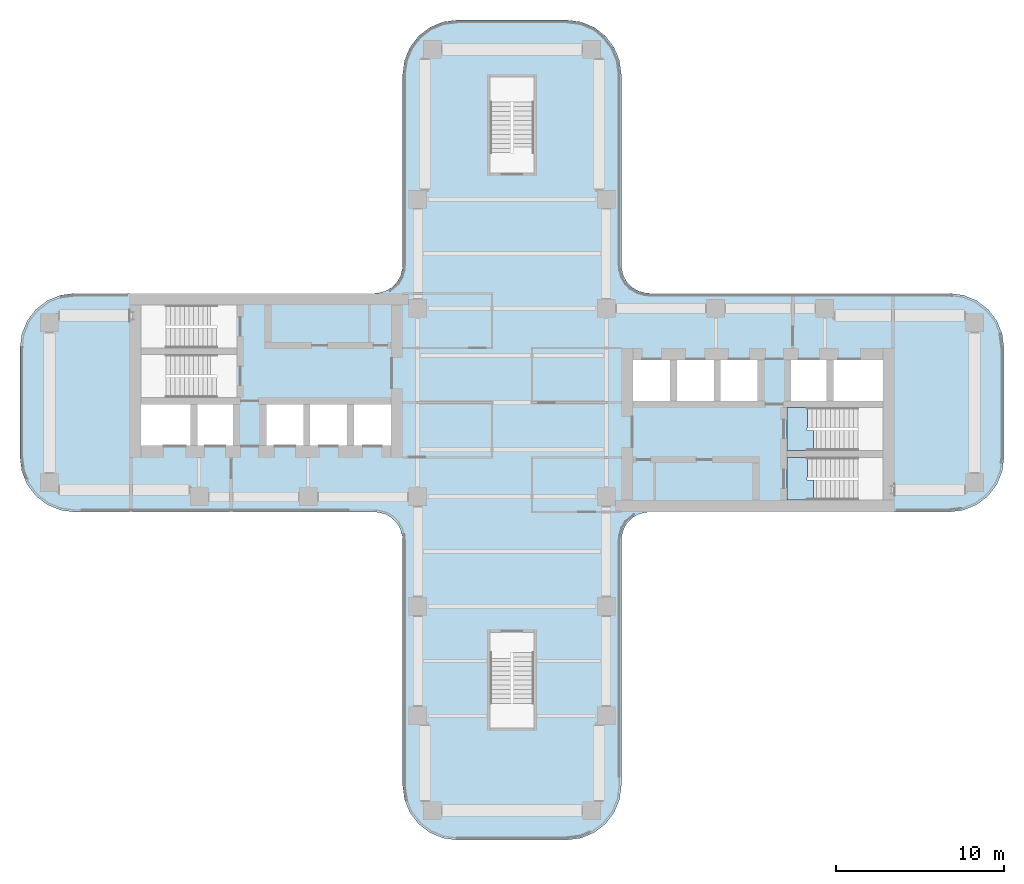
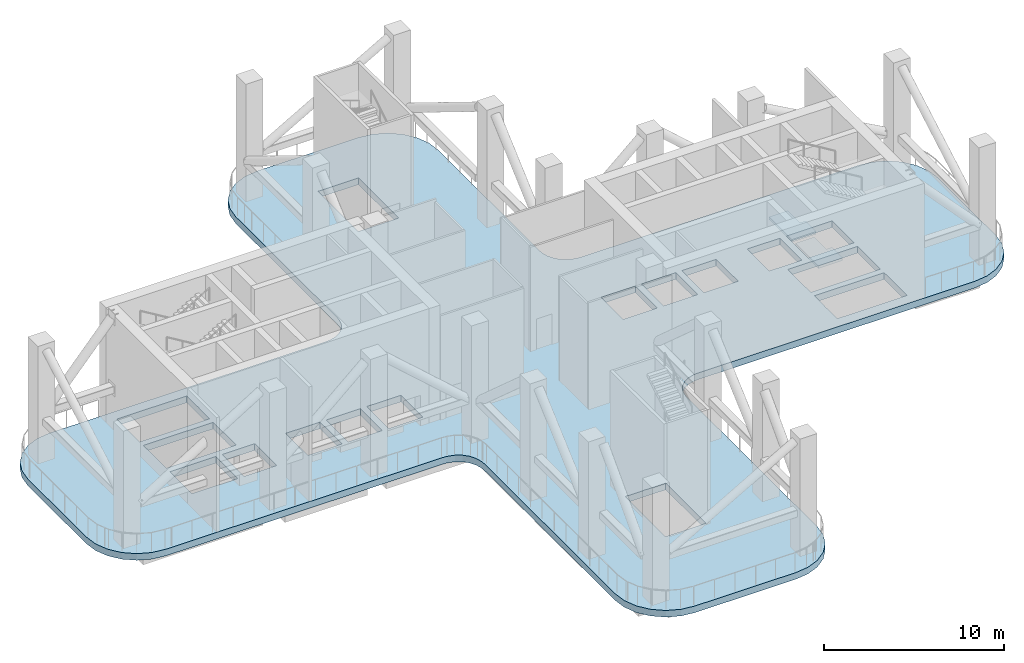
# One storey, part 3 of 11: 3 slabs, 2 elements without a shape of their own.
"""IFC4 building model written with IfcOpenShell, lengths in metres."""

from ifc_helpers import new_model, si_unit, direction, frame, origin, place, context, subcontext, project, spatial, polyline, outline, extrude, source, transform, mapped, material, layer, layer_set, type_object, element, aggregate, save


model = new_model("IFC4")

# Units and contexts
model_context = context("Model", 3, precision=1e-05, world=origin(), true_north=direction((0.0, 1.0)))
body_context = subcontext(model_context, "Body", "Model", "MODEL_VIEW")
ifc_project = project(units=[si_unit("LENGTHUNIT", "METRE"), si_unit("AREAUNIT", "SQUARE_METRE"), si_unit("VOLUMEUNIT", "CUBIC_METRE"), si_unit("PLANEANGLEUNIT", "RADIAN"), si_unit("MASSUNIT", "GRAM", prefix="KILO")], contexts=[model_context])

# Site, building, storey
site_placement = place(None, origin())
site = spatial("IfcSite", under=ifc_project, at=site_placement, CompositionType="ELEMENT")
building_placement = place(site_placement, origin())
building = spatial("IfcBuilding", under=site, at=building_placement, Name="Trellis Farm Tower", CompositionType="ELEMENT")
storey_placement = place(building_placement, frame((0.0, 0.0, 212.699951171875)))
storey = spatial("IfcBuildingStorey", under=building, at=storey_placement, Name="L47", CompositionType="ELEMENT", Elevation=212.699951171875)

# Slab
ifc_material_1 = material(Name="Concrete C40/50", Category="concrete")
ifc_layer_1 = layer(ifc_material_1, 0.449951171875)
ifc_layer_set_1 = layer_set([ifc_layer_1], Name="Composite deck floor slab 450")
slab_type_1 = type_object("IfcSlabType", Name="Composite deck floor slab 450", PredefinedType="FLOOR", material=ifc_layer_set_1)
slab_1_placement = place(storey_placement, frame((0.0, 0.0, -0.449951171875)))
element("IfcSlab", 1, at=slab_1_placement, inside=storey, type_object=slab_type_1, Name="Floor slab", PredefinedType="FLOOR", context=body_context, shape_type="SweptSolid", body=[
    extrude(outline(polyline([(-26.84130859375, -6.389404296875), (-27.625, -6.064697265625), (-28.298095703125, -5.548095703125), (-28.814697265625, -4.875), (-29.139404296875, -4.09130859375), (-29.25, -3.25), (-29.25, 3.25), (-29.139404296875, 4.09130859375), (-28.814697265625, 4.875), (-28.298095703125, 5.548095703125), (-27.625, 6.064697265625), (-26.84130859375, 6.389404296875), (-26.0, 6.5), (-8.2314453125, 6.5), (-8.01953125, 6.513916015625), (-7.91552734375, 6.527587890625), (-7.508544921875, 6.63671875), (-7.144287109375, 6.846923828125), (-6.846923828125, 7.144287109375), (-6.63671875, 7.508544921875), (-6.527587890625, 7.91552734375), (-6.513916015625, 8.01953125), (-6.5, 8.2314453125), (-6.5, 19.5), (-6.389404296875, 20.34130859375), (-6.064697265625, 21.125), (-5.548095703125, 21.798095703125), (-4.875, 22.314697265625), (-4.09130859375, 22.639404296875), (-3.25, 22.75), (3.25, 22.75), (4.09130859375, 22.639404296875), (4.875, 22.314697265625), (5.548095703125, 21.798095703125), (6.064697265625, 21.125), (6.389404296875, 20.34130859375), (6.5, 19.5), (6.5, 8.2314453125), (6.513916015625, 8.01953125), (6.527587890625, 7.91552734375), (6.63671875, 7.508544921875), (6.846923828125, 7.144287109375), (7.144287109375, 6.846923828125), (7.508544921875, 6.63671875), (7.91552734375, 6.527587890625), (8.01953125, 6.513916015625), (8.2314453125, 6.5), (26.0, 6.5), (26.84130859375, 6.389404296875), (27.625, 6.064697265625), (28.298095703125, 5.548095703125), (28.814697265625, 4.875), (29.139404296875, 4.09130859375), (29.25, 3.25), (29.25, -3.25), (29.139404296875, -4.09130859375), (28.814697265625, -4.875), (28.298095703125, -5.548095703125), (27.625, -6.064697265625), (26.84130859375, -6.389404296875), (26.0, -6.5), (8.2314453125, -6.5), (8.01953125, -6.513916015625), (7.91552734375, -6.527587890625), (7.508544921875, -6.63671875), (7.144287109375, -6.846923828125), (6.846923828125, -7.144287109375), (6.63671875, -7.508544921875), (6.527587890625, -7.91552734375), (6.513916015625, -8.01953125), (6.5, -8.2314453125), (6.5, -22.75), (6.389404296875, -23.59130859375), (6.064697265625, -24.375), (5.548095703125, -25.048095703125), (4.875, -25.564697265625), (4.09130859375, -25.889404296875), (3.25, -26.0), (-3.25, -26.0), (-4.09130859375, -25.889404296875), (-4.875, -25.564697265625), (-5.548095703125, -25.048095703125), (-6.064697265625, -24.375), (-6.389404296875, -23.59130859375), (-6.5, -22.75), (-6.5, -8.2314453125), (-6.513916015625, -8.01953125), (-6.527587890625, -7.91552734375), (-6.63671875, -7.508544921875), (-6.846923828125, -7.144287109375), (-7.144287109375, -6.846923828125), (-7.508544921875, -6.63671875), (-7.91552734375, -6.527587890625), (-8.01953125, -6.513916015625), (-8.2314453125, -6.5), (-26.0, -6.5), (-26.84130859375, -6.389404296875)]), holes=[polyline([(-22.050048828125, -0.10009765625), (-22.050048828125, -2.550048828125), (-19.10009765625, -2.550048828125), (-19.10009765625, -0.10009765625), (-22.050048828125, -0.10009765625)]), polyline([(-18.699951171875, -0.10009765625), (-18.699951171875, -2.550048828125), (-16.60009765625, -2.550048828125), (-16.60009765625, -0.10009765625), (-18.699951171875, -0.10009765625)]), polyline([(-14.60009765625, -0.10009765625), (-14.60009765625, -2.550048828125), (-12.39990234375, -2.550048828125), (-12.39990234375, -0.10009765625), (-14.60009765625, -0.10009765625)]), polyline([(-12.0, -0.10009765625), (-12.0, -2.550048828125), (-9.800048828125, -2.550048828125), (-9.800048828125, -0.10009765625), (-12.0, -0.10009765625)]), polyline([(-9.39990234375, -0.10009765625), (-9.39990234375, -2.550048828125), (-7.199951171875, -2.550048828125), (-7.199951171875, -0.10009765625), (-9.39990234375, -0.10009765625)]), polyline([(-17.56201171875, 1.64990234375), (-17.56201171875, 2.85009765625), (-22.050048828125, 2.85009765625), (-22.050048828125, 0.300048828125), (-17.56005859375, 0.300048828125), (-17.56005859375, 1.5), (-17.550048828125, 1.5), (-17.550048828125, 1.64990234375), (-17.56201171875, 1.64990234375)]), polyline([(-17.56201171875, 4.60009765625), (-17.56201171875, 5.800048828125), (-22.050048828125, 5.800048828125), (-22.050048828125, 3.25), (-17.56005859375, 3.25), (-17.56005859375, 4.449951171875), (-17.550048828125, 4.449951171875), (-17.550048828125, 4.60009765625), (-17.56201171875, 4.60009765625)]), polyline([(0.10009765625, 14.862060546875), (1.300048828125, 14.862060546875), (1.300048828125, 19.35009765625), (-1.300048828125, 19.35009765625), (-1.300048828125, 14.860107421875), (-0.10009765625, 14.860107421875), (-0.10009765625, 14.85009765625), (0.10009765625, 14.85009765625), (0.10009765625, 14.862060546875)]), polyline([(-0.10009765625, -14.862060546875), (-1.300048828125, -14.862060546875), (-1.300048828125, -19.35009765625), (1.300048828125, -19.35009765625), (1.300048828125, -14.860107421875), (0.10009765625, -14.860107421875), (0.10009765625, -14.85009765625), (-0.10009765625, -14.85009765625), (-0.10009765625, -14.862060546875)]), polyline([(17.56201171875, -4.60009765625), (17.56201171875, -5.800048828125), (22.050048828125, -5.800048828125), (22.050048828125, -3.25), (17.56005859375, -3.25), (17.56005859375, -4.449951171875), (17.550048828125, -4.449951171875), (17.550048828125, -4.60009765625), (17.56201171875, -4.60009765625)]), polyline([(17.56201171875, -1.64990234375), (17.56201171875, -2.85009765625), (22.050048828125, -2.85009765625), (22.050048828125, -0.300048828125), (17.56005859375, -0.300048828125), (17.56005859375, -1.5), (17.550048828125, -1.5), (17.550048828125, -1.64990234375), (17.56201171875, -1.64990234375)]), polyline([(9.39990234375, 0.10009765625), (9.39990234375, 2.550048828125), (7.199951171875, 2.550048828125), (7.199951171875, 0.10009765625), (9.39990234375, 0.10009765625)]), polyline([(12.0, 0.10009765625), (12.0, 2.550048828125), (9.800048828125, 2.550048828125), (9.800048828125, 0.10009765625), (12.0, 0.10009765625)]), polyline([(14.60009765625, 0.10009765625), (14.60009765625, 2.550048828125), (12.39990234375, 2.550048828125), (12.39990234375, 0.10009765625), (14.60009765625, 0.10009765625)]), polyline([(18.699951171875, 0.10009765625), (18.699951171875, 2.550048828125), (16.60009765625, 2.550048828125), (16.60009765625, 0.10009765625), (18.699951171875, 0.10009765625)]), polyline([(22.050048828125, 0.10009765625), (22.050048828125, 2.550048828125), (19.10009765625, 2.550048828125), (19.10009765625, 0.10009765625), (22.050048828125, 0.10009765625)])]), origin(), (0.0, 0.0, 1.0), 0.449951171875),
])

# Stair, slab
ifc_material_2 = material(Name="Concrete C50/60", Category="concrete")
stair_type = type_object("IfcStairType", Name="CORE EXIT STAIR 48 RISERS 167 MM", PredefinedType="HALF_TURN_STAIR", material=ifc_material_2)
placement_1 = place(storey_placement, origin())
stair_1 = element("IfcStair", 2, at=placement_1, inside=storey, type_object=stair_type, Name="Exit stair E1", PredefinedType="HALF_TURN_STAIR")
ifc_layer_2 = layer(ifc_material_2, 0.179931640625)
ifc_layer_set_2 = layer_set([ifc_layer_2], Name="CORE STAIR LANDING 180 CONCRETE C50/60")
slab_type_2 = type_object("IfcSlabType", Name="CORE STAIR LANDING 180 CONCRETE C50/60", PredefinedType="LANDING", material=ifc_layer_set_2)
shared_shape_1 = source(origin(), body_context, "Body", "SweptSolid", [
    extrude(outline(polyline([(17.91259765625, -4.60009765625), (17.91259765625, -5.800048828125), (17.550048828125, -5.800048828125), (16.35009765625, -5.800048828125), (16.35009765625, -3.25), (17.550048828125, -3.25), (17.56005859375, -3.25), (17.56005859375, -4.449951171875), (17.550048828125, -4.449951171875), (17.550048828125, -4.60009765625), (17.91259765625, -4.60009765625)])), origin(), (0.0, 0.0, 1.0), 0.179931640625),
])
placement_2 = place(storey_placement, frame((0.0, 0.0, 3.820068359375)))
slab_2 = element("IfcSlab", 3, at=placement_2, type_object=slab_type_2, Name="STE1 landing 2", PredefinedType="LANDING", context=body_context, shape_type="MappedRepresentation", body=[
    mapped(shared_shape_1, transform((0.0, 0.0, 0.0))),
])
aggregate(stair_1, [slab_2])

stair_2 = element("IfcStair", 4, at=placement_1, inside=storey, type_object=stair_type, Name="Exit stair E2", PredefinedType="HALF_TURN_STAIR")
shared_shape_2 = source(origin(), body_context, "Body", "SweptSolid", [
    extrude(outline(polyline([(17.91259765625, -1.64990234375), (17.91259765625, -2.85009765625), (17.550048828125, -2.85009765625), (16.35009765625, -2.85009765625), (16.35009765625, -0.300048828125), (17.550048828125, -0.300048828125), (17.56005859375, -0.300048828125), (17.56005859375, -1.5), (17.550048828125, -1.5), (17.550048828125, -1.64990234375), (17.91259765625, -1.64990234375)])), origin(), (0.0, 0.0, 1.0), 0.179931640625),
])
slab_3 = element("IfcSlab", 5, at=placement_2, type_object=slab_type_2, Name="STE2 landing 2", PredefinedType="LANDING", context=body_context, shape_type="MappedRepresentation", body=[
    mapped(shared_shape_2, transform((0.0, 0.0, 0.0))),
])
aggregate(stair_2, [slab_3])

save(model, "model.ifc")
